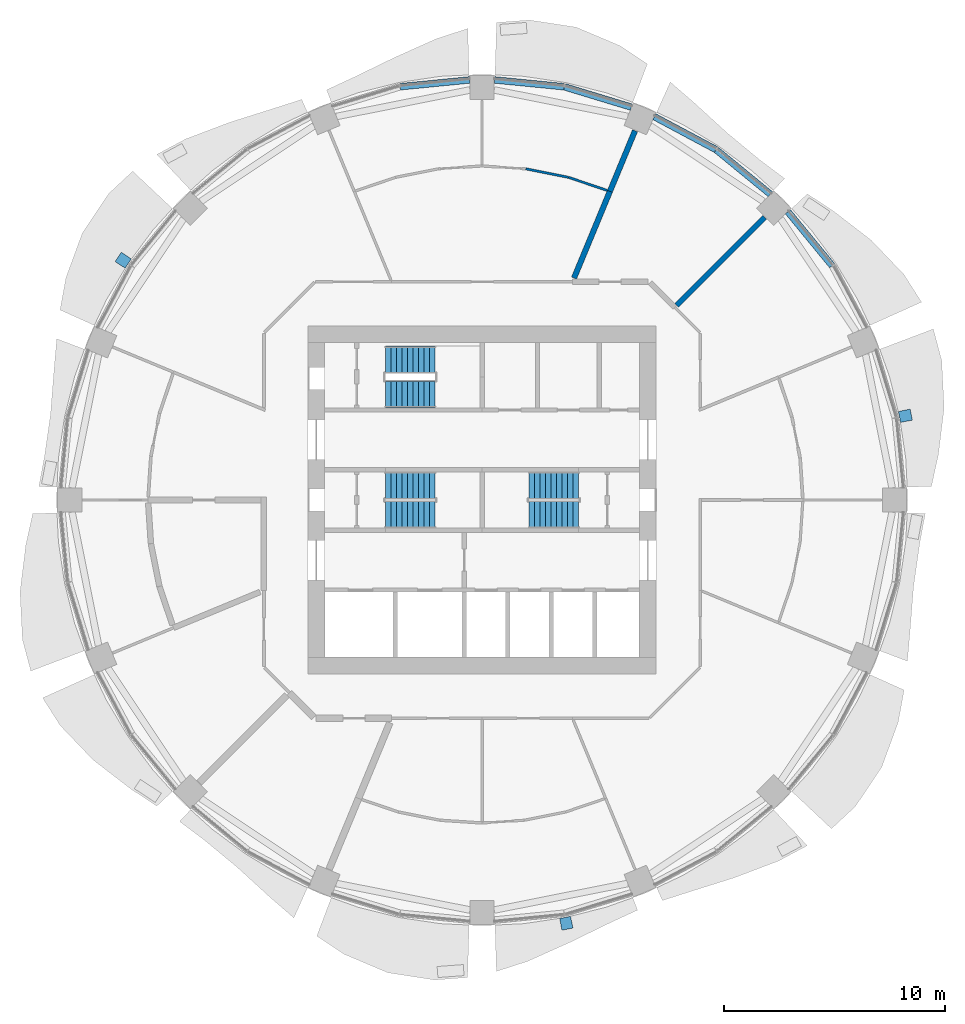
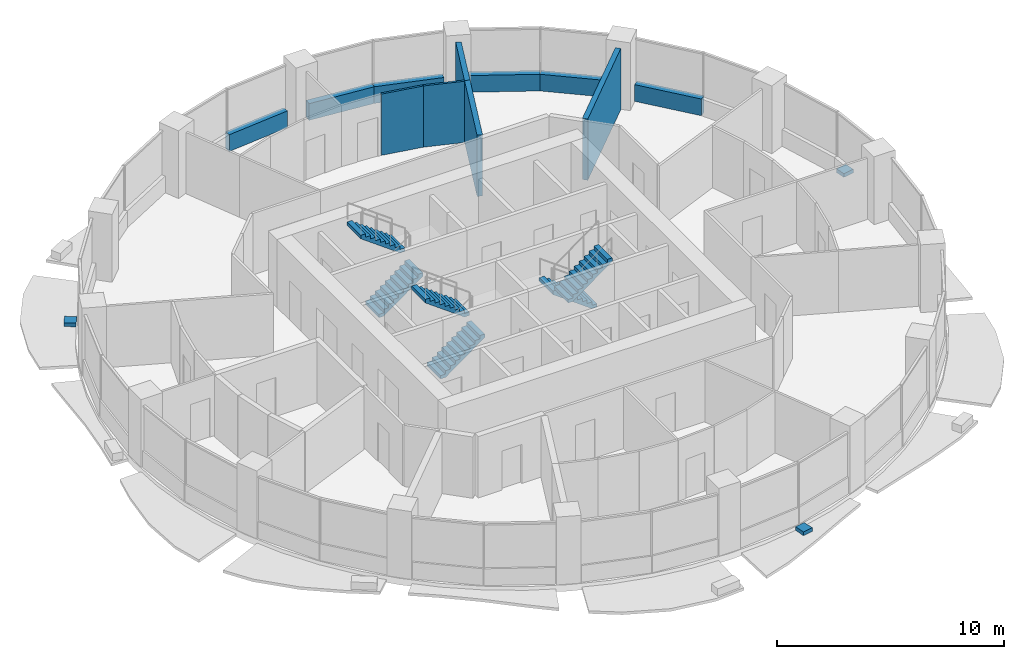
# One storey, part 10 of 14: 11 walls, 6 stair flights, 3 discrete accessories, 3 elements without a shape of their own.
"""IFC4 building model written with IfcOpenShell, lengths in metres."""

from ifc_helpers import new_model, si_unit, direction, frame, frame_2d, origin, place, context, subcontext, project, spatial, polyline, rectangle, outline, extrude, material, layer, layer_set, type_object, element, aggregate, save


model = new_model("IFC4")

# Units and contexts
model_context = context("Model", 3, precision=1e-05, world=origin(), true_north=direction((0.0, 1.0)))
body_context = subcontext(model_context, "Body", "Model", "MODEL_VIEW")
ifc_project = project(units=[si_unit("LENGTHUNIT", "METRE"), si_unit("AREAUNIT", "SQUARE_METRE"), si_unit("VOLUMEUNIT", "CUBIC_METRE"), si_unit("PLANEANGLEUNIT", "RADIAN"), si_unit("MASSUNIT", "GRAM", prefix="KILO")], contexts=[model_context])

# Site, building, storey
site_placement = place(None, origin())
site = spatial("IfcSite", under=ifc_project, at=site_placement, CompositionType="ELEMENT")
building_placement = place(site_placement, origin())
building = spatial("IfcBuilding", under=site, at=building_placement, Name="Polderwave Tower", CompositionType="ELEMENT")
storey_placement = place(building_placement, frame((0.0, 0.0, 94.64990234375)))
storey = spatial("IfcBuildingStorey", under=building, at=storey_placement, Name="L24", CompositionType="ELEMENT", Elevation=94.64990234375)

# Walls
ifc_material_1 = material(Name="Concrete C50/60 (board-marked)", Category="concrete")
ifc_layer_1 = layer(ifc_material_1, 0.300048828125)
ifc_layer_set_1 = layer_set([ifc_layer_1], Name="Concrete spandrel upstand C50/60")
wall_type_1 = type_object("IfcWallType", Name="Concrete spandrel upstand C50/60", PredefinedType="SOLIDWALL", material=ifc_layer_set_1)
for number, where, z_axis, x_axis, name in (
    (1, (15.846435546875, 10.606689453125, 0.0), (0.0, 0.0, 1.0), (-0.63437822698, 0.773022810229, 0.0), "Spandrel L24 2b"),
    (2, (13.04736328125, 13.843505859375, 0.0), (0.0, 0.0, 1.0), (-0.773022810229, 0.63437822698, 0.0), "Spandrel L24 3a"),
    (3, (10.581787109375, 15.863037109375, 0.0), (0.0, 0.0, 1.0), (-0.882005928597, 0.471238306932, 0.0), "Spandrel L24 3b"),
):
    element("IfcWall", number, at=place(storey_placement, frame(where, z_axis=z_axis, x_axis=x_axis)), inside=storey, type_object=wall_type_1, Name=name, PredefinedType="SOLIDWALL", context=body_context, shape_type="SweptSolid", body=[
        extrude(rectangle(XDim=3.1572265625, YDim=0.300048828125, at=frame_2d((1.57861328125, 0.0))), origin(), (0.0, 0.0, 1.0), 0.900146484375),
    ])
wall_1_placement = place(storey_placement, frame((6.755615234375, 17.782470703125, 0.0), z_axis=(0.0, 0.0, 1.0), x_axis=(-0.956874051907, 0.290503096001, 0.0)))
element("IfcWall", 4, at=wall_1_placement, inside=storey, type_object=wall_type_1, Name="Spandrel L24 4a", PredefinedType="SOLIDWALL", context=body_context, shape_type="SweptSolid", body=[
    extrude(rectangle(XDim=3.157470703125, YDim=0.300048828125, at=frame_2d((1.57861328125, 0.0))), origin(), (0.0, 0.0, 1.0), 0.900146484375),
])
for number, where, z_axis, x_axis, name in (
    (5, (3.705078125, 18.70556640625, 0.0), (0.0, 0.0, 1.0), (-0.995201239587, 0.097849336863, 0.0), "Spandrel L24 4b"),
    (6, (-0.56396484375, 19.014404296875, 0.0), (0.0, 0.0, 1.0), (-0.995201239587, -0.097849336863, 0.0), "Spandrel L24 5a"),
):
    element("IfcWall", number, at=place(storey_placement, frame(where, z_axis=z_axis, x_axis=x_axis)), inside=storey, type_object=wall_type_1, Name=name, PredefinedType="SOLIDWALL", context=body_context, shape_type="SweptSolid", body=[
        extrude(rectangle(XDim=3.15625, YDim=0.300048828125, at=frame_2d((1.578125, 0.0))), origin(), (0.0, 0.0, 1.0), 0.900146484375),
    ])
ifc_material_2 = material(Name="Moisture-resistant board on steel studs, tiled", Category="steel")
ifc_layer_2 = layer(ifc_material_2, 0.10498046875)
ifc_layer_set_2 = layer_set([ifc_layer_2], Name="Partition 105 mm wet room board and tile")
wall_type_2 = type_object("IfcWallType", Name="Partition 105 mm wet room board and tile", PredefinedType="PARTITIONING", material=ifc_layer_set_2)
wall_2_placement = place(storey_placement, frame((3.909912109375, 14.60546875, 0.0), z_axis=(0.0, 0.0, 1.0), x_axis=(-0.980780283586, 0.195115441032, 0.0)))
element("IfcWall", 7, at=wall_2_placement, inside=storey, type_object=wall_type_2, Name="IN-L24-W033", PredefinedType="PARTITIONING", context=body_context, shape_type="SweptSolid", body=[
    extrude(rectangle(XDim=1.970703125, YDim=0.10498046875, at=frame_2d((0.9853515625, 0.0))), origin(), (0.0, 0.0, 1.0), 3.300048828125),
])
wall_3_placement = place(storey_placement, frame((5.664306640625, 14.010498046875, 0.0), z_axis=(0.0, 0.0, 1.0), x_axis=(-0.946936290846, 0.321421313976, 0.0)))
element("IfcWall", 8, at=wall_3_placement, inside=storey, type_object=wall_type_2, Name="IN-L24-W034", PredefinedType="PARTITIONING", context=body_context, shape_type="SweptSolid", body=[
    extrude(rectangle(XDim=1.845703125, YDim=0.10498046875, at=frame_2d((0.9228515625, 0.0))), origin(), (0.0, 0.0, 1.0), 3.300048828125),
])
ifc_material_3 = material(Name="Fire-resisting board on steel studs, mineral wool", Category="steel")
ifc_layer_3 = layer(ifc_material_3, 0.25)
ifc_layer_set_3 = layer_set([ifc_layer_3], Name="Plant room wall 250 mm EI 120")
wall_type_3 = type_object("IfcWallType", Name="Plant room wall 250 mm EI 120", PredefinedType="PARTITIONING", material=ifc_layer_set_3)
wall_4_placement = place(storey_placement, frame((12.79150390625, 12.79150390625, 0.0), z_axis=(0.0, 0.0, 1.0), x_axis=(-0.707106781187, -0.707106781187, 0.0)))
element("IfcWall", 9, at=wall_4_placement, inside=storey, type_object=wall_type_3, Name="IN-L24-W029", PredefinedType="PARTITIONING", context=body_context, shape_type="SweptSolid", body=[
    extrude(rectangle(XDim=5.629638671875, YDim=0.25, at=frame_2d((2.81494140625, 0.0))), origin(), (0.0, 0.0, 1.0), 3.300048828125),
])
wall_5_placement = place(storey_placement, frame((5.7861328125, 13.968994140625, 0.0), z_axis=(0.0, 0.0, 1.0), x_axis=(0.382659139036, 0.923889594764, 0.0)))
element("IfcWall", 10, at=wall_5_placement, inside=storey, type_object=wall_type_3, Name="IN-L24-W030", PredefinedType="PARTITIONING", context=body_context, shape_type="SweptSolid", body=[
    extrude(rectangle(XDim=2.969970703125, YDim=0.25, at=frame_2d((1.48486328125, 0.0))), origin(), (0.0, 0.0, 1.0), 3.300048828125),
])
wall_6_placement = place(storey_placement, frame((4.16162109375, 10.046875, 0.0), z_axis=(0.0, 0.0, 1.0), x_axis=(0.382666699469, 0.923886463326, 0.0)))
element("IfcWall", 11, at=wall_6_placement, inside=storey, type_object=wall_type_3, Name="IN-L24-W031", PredefinedType="PARTITIONING", context=body_context, shape_type="SweptSolid", body=[
    extrude(rectangle(XDim=4.245361328125, YDim=0.25, at=frame_2d((2.12255859375, 0.0))), origin(), (0.0, 0.0, 1.0), 3.300048828125),
])

# Stair, stair flights
ifc_material_4 = material(Name="Concrete C40/50", Category="concrete")
stair_type = type_object("IfcStairType", Name="Exit stair 1200 x 20 risers", PredefinedType="HALF_TURN_STAIR", material=ifc_material_4)
stair_1_placement = place(storey_placement, origin())
stair_1 = element("IfcStair", 12, at=stair_1_placement, inside=storey, type_object=stair_type, Name="L24 Exit stair A", PredefinedType="HALF_TURN_STAIR")
stair_flight_type = type_object("IfcStairFlightType", Name="Stair flight 1200", PredefinedType="STRAIGHT", material=ifc_material_4)
stair_flight_1_placement = place(storey_placement, frame((-4.3740234375, -0.675048828125, 0.0), z_axis=(0.0, 0.0, 1.0), x_axis=(1.0, 0.0, 0.0)))
stair_flight_1 = element("IfcStairFlight", 13, at=stair_flight_1_placement, type_object=stair_flight_type, Name="ST-A flight 1", NumberOfRisers=10, NumberOfTreads=9, PredefinedType="STRAIGHT", RiserHeight=0.1825, TreadLength=0.25, context=body_context, shape_type="SweptSolid", body=[
    extrude(outline(polyline([(0.0, 0.0), (0.0, 0.1826171875), (0.25, 0.1826171875), (0.25, 0.364990234375), (0.5, 0.364990234375), (0.5, 0.547607421875), (0.75, 0.547607421875), (0.75, 0.72998046875), (1.0, 0.72998046875), (1.0, 0.91259765625), (1.25, 0.91259765625), (1.25, 1.094970703125), (1.5, 1.094970703125), (1.5, 1.277587890625), (1.75, 1.277587890625), (1.75, 1.4599609375), (2.0, 1.4599609375), (2.0, 1.642578125), (2.25, 1.642578125), (2.25, 1.824951171875), (2.25, 1.456787109375), (0.254150390625, 0.0), (0.0, 0.0)])), frame((0.0, 0.60009765625, 0.0), z_axis=(0.0, -1.0, 0.0), x_axis=(1.0, 0.0, 0.0)), (0.0, 0.0, 1.0), 1.199951171875),
])
stair_flight_2_placement = place(storey_placement, frame((-2.1240234375, 0.675048828125, 1.8251953125), z_axis=(0.0, 0.0, 1.0), x_axis=(-1.0, 0.0, 0.0)))
stair_flight_2 = element("IfcStairFlight", 14, at=stair_flight_2_placement, type_object=stair_flight_type, Name="ST-A flight 2", NumberOfRisers=10, NumberOfTreads=9, PredefinedType="STRAIGHT", RiserHeight=0.1825, TreadLength=0.25, context=body_context, shape_type="SweptSolid", body=[
    extrude(outline(polyline([(0.0, 0.0), (0.0, 0.1826171875), (0.25, 0.1826171875), (0.25, 0.364990234375), (0.5, 0.364990234375), (0.5, 0.547607421875), (0.75, 0.547607421875), (0.75, 0.72998046875), (1.0, 0.72998046875), (1.0, 0.91259765625), (1.25, 0.91259765625), (1.25, 1.094970703125), (1.5, 1.094970703125), (1.5, 1.277587890625), (1.75, 1.277587890625), (1.75, 1.4599609375), (2.0, 1.4599609375), (2.0, 1.642578125), (2.25, 1.642578125), (2.25, 1.824951171875), (2.25, 1.456787109375), (0.254150390625, 0.0), (0.0, 0.0)])), frame((0.0, 0.60009765625, 0.0), z_axis=(0.0, -1.0, 0.0), x_axis=(1.0, 0.0, 0.0)), (0.0, 0.0, 1.0), 1.199951171875),
])
aggregate(stair_1, [stair_flight_1, stair_flight_2])

stair_2_placement = place(storey_placement, origin())
stair_2 = element("IfcStair", 15, at=stair_2_placement, inside=storey, type_object=stair_type, Name="L24 Exit stair B", PredefinedType="HALF_TURN_STAIR")
stair_flight_3_placement = place(storey_placement, frame((4.3740234375, 0.675048828125, 0.0), z_axis=(0.0, 0.0, 1.0), x_axis=(-1.0, 0.0, 0.0)))
stair_flight_3 = element("IfcStairFlight", 16, at=stair_flight_3_placement, type_object=stair_flight_type, Name="ST-B flight 1", NumberOfRisers=10, NumberOfTreads=9, PredefinedType="STRAIGHT", RiserHeight=0.1825, TreadLength=0.25, context=body_context, shape_type="SweptSolid", body=[
    extrude(outline(polyline([(0.0, 0.0), (0.0, 0.1826171875), (0.25, 0.1826171875), (0.25, 0.364990234375), (0.5, 0.364990234375), (0.5, 0.547607421875), (0.75, 0.547607421875), (0.75, 0.72998046875), (1.0, 0.72998046875), (1.0, 0.91259765625), (1.25, 0.91259765625), (1.25, 1.094970703125), (1.5, 1.094970703125), (1.5, 1.277587890625), (1.75, 1.277587890625), (1.75, 1.4599609375), (2.0, 1.4599609375), (2.0, 1.642578125), (2.25, 1.642578125), (2.25, 1.824951171875), (2.25, 1.456787109375), (0.254150390625, 0.0), (0.0, 0.0)])), frame((0.0, 0.60009765625, 0.0), z_axis=(0.0, -1.0, 0.0), x_axis=(1.0, 0.0, 0.0)), (0.0, 0.0, 1.0), 1.199951171875),
])
stair_flight_4_placement = place(storey_placement, frame((2.1240234375, -0.675048828125, 1.8251953125), z_axis=(0.0, 0.0, 1.0), x_axis=(1.0, 0.0, 0.0)))
stair_flight_4 = element("IfcStairFlight", 17, at=stair_flight_4_placement, type_object=stair_flight_type, Name="ST-B flight 2", NumberOfRisers=10, NumberOfTreads=9, PredefinedType="STRAIGHT", RiserHeight=0.1825, TreadLength=0.25, context=body_context, shape_type="SweptSolid", body=[
    extrude(outline(polyline([(0.0, 0.0), (0.0, 0.1826171875), (0.25, 0.1826171875), (0.25, 0.364990234375), (0.5, 0.364990234375), (0.5, 0.547607421875), (0.75, 0.547607421875), (0.75, 0.72998046875), (1.0, 0.72998046875), (1.0, 0.91259765625), (1.25, 0.91259765625), (1.25, 1.094970703125), (1.5, 1.094970703125), (1.5, 1.277587890625), (1.75, 1.277587890625), (1.75, 1.4599609375), (2.0, 1.4599609375), (2.0, 1.642578125), (2.25, 1.642578125), (2.25, 1.824951171875), (2.25, 1.456787109375), (0.254150390625, 0.0), (0.0, 0.0)])), frame((0.0, 0.60009765625, 0.0), z_axis=(0.0, -1.0, 0.0), x_axis=(1.0, 0.0, 0.0)), (0.0, 0.0, 1.0), 1.199951171875),
])
aggregate(stair_2, [stair_flight_3, stair_flight_4])

stair_3_placement = place(storey_placement, origin())
stair_3 = element("IfcStair", 18, at=stair_3_placement, inside=storey, type_object=stair_type, Name="L24 Exit stair C", PredefinedType="HALF_TURN_STAIR")
stair_flight_5_placement = place(storey_placement, frame((-4.3740234375, 4.77392578125, 0.0), z_axis=(0.0, 0.0, 1.0), x_axis=(1.0, 0.0, 0.0)))
stair_flight_5 = element("IfcStairFlight", 19, at=stair_flight_5_placement, type_object=stair_flight_type, Name="ST-C flight 1", NumberOfRisers=10, NumberOfTreads=9, PredefinedType="STRAIGHT", RiserHeight=0.1825, TreadLength=0.25, context=body_context, shape_type="SweptSolid", body=[
    extrude(outline(polyline([(0.0, 0.0), (0.0, 0.1826171875), (0.25, 0.1826171875), (0.25, 0.364990234375), (0.5, 0.364990234375), (0.5, 0.547607421875), (0.75, 0.547607421875), (0.75, 0.72998046875), (1.0, 0.72998046875), (1.0, 0.91259765625), (1.25, 0.91259765625), (1.25, 1.094970703125), (1.5, 1.094970703125), (1.5, 1.277587890625), (1.75, 1.277587890625), (1.75, 1.4599609375), (2.0, 1.4599609375), (2.0, 1.642578125), (2.25, 1.642578125), (2.25, 1.824951171875), (2.25, 1.456787109375), (0.254150390625, 0.0), (0.0, 0.0)])), frame((0.0, 0.60009765625, 0.0), z_axis=(0.0, -1.0, 0.0), x_axis=(1.0, 0.0, 0.0)), (0.0, 0.0, 1.0), 1.199951171875),
])
stair_flight_6_placement = place(storey_placement, frame((-2.1240234375, 6.3740234375, 1.8251953125), z_axis=(0.0, 0.0, 1.0), x_axis=(-1.0, 0.0, 0.0)))
stair_flight_6 = element("IfcStairFlight", 20, at=stair_flight_6_placement, type_object=stair_flight_type, Name="ST-C flight 2", NumberOfRisers=10, NumberOfTreads=9, PredefinedType="STRAIGHT", RiserHeight=0.1825, TreadLength=0.25, context=body_context, shape_type="SweptSolid", body=[
    extrude(outline(polyline([(0.0, 0.0), (0.0, 0.1826171875), (0.25, 0.1826171875), (0.25, 0.364990234375), (0.5, 0.364990234375), (0.5, 0.547607421875), (0.75, 0.547607421875), (0.75, 0.72998046875), (1.0, 0.72998046875), (1.0, 0.91259765625), (1.25, 0.91259765625), (1.25, 1.094970703125), (1.5, 1.094970703125), (1.5, 1.277587890625), (1.75, 1.277587890625), (1.75, 1.4599609375), (2.0, 1.4599609375), (2.0, 1.642578125), (2.25, 1.642578125), (2.25, 1.824951171875), (2.25, 1.456787109375), (0.254150390625, 0.0), (0.0, 0.0)])), frame((0.0, 0.60009765625, 0.0), z_axis=(0.0, -1.0, 0.0), x_axis=(1.0, 0.0, 0.0)), (0.0, 0.0, 1.0), 1.199951171875),
])
aggregate(stair_3, [stair_flight_5, stair_flight_6])

# Discrete accessories
ifc_material_5 = material(Name="Steel S355", Category="steel")
discrete_accessory_type = type_object("IfcDiscreteAccessoryType", Name="Band bracket pad", PredefinedType="BRACKET", material=ifc_material_5)
discrete_accessory_1_placement = place(storey_placement, frame((0.0, 0.0, -0.199951171875)))
element("IfcDiscreteAccessory", 21, at=discrete_accessory_1_placement, inside=storey, type_object=discrete_accessory_type, Name="Band bracket L24 1", PredefinedType="BRACKET", context=body_context, shape_type="SweptSolid", body=[
    extrude(outline(polyline([(18.936279296875, 3.51220703125), (18.899658203125, 3.759521484375), (18.839111328125, 4.001953125), (19.376953125, 4.1162109375), (19.477294921875, 3.6123046875), (18.936279296875, 3.51220703125)])), origin(), (0.0, 0.0, 1.0), 0.199951171875),
])
discrete_accessory_2_placement = place(storey_placement, frame((0.0, 0.0, -0.199951171875)))
element("IfcDiscreteAccessory", 22, at=discrete_accessory_2_placement, inside=storey, type_object=discrete_accessory_type, Name="Band bracket L24 7", PredefinedType="BRACKET", context=body_context, shape_type="SweptSolid", body=[
    extrude(outline(polyline([(-15.87353515625, 10.906494140625), (-16.0224609375, 10.705810546875), (-16.15087890625, 10.491455078125), (-16.6123046875, 10.791015625), (-16.326904296875, 11.218017578125), (-15.87353515625, 10.906494140625)])), origin(), (0.0, 0.0, 1.0), 0.199951171875),
])
discrete_accessory_3_placement = place(storey_placement, frame((0.0, 0.0, -0.199951171875)))
element("IfcDiscreteAccessory", 23, at=discrete_accessory_3_placement, inside=storey, type_object=discrete_accessory_type, Name="Band bracket L24 13", PredefinedType="BRACKET", context=body_context, shape_type="SweptSolid", body=[
    extrude(outline(polyline([(3.51220703125, -18.936279296875), (3.759521484375, -18.899658203125), (4.001953125, -18.839111328125), (4.1162109375, -19.376953125), (3.6123046875, -19.477294921875), (3.51220703125, -18.936279296875)])), origin(), (0.0, 0.0, 1.0), 0.199951171875),
])

save(model, "model.ifc")
